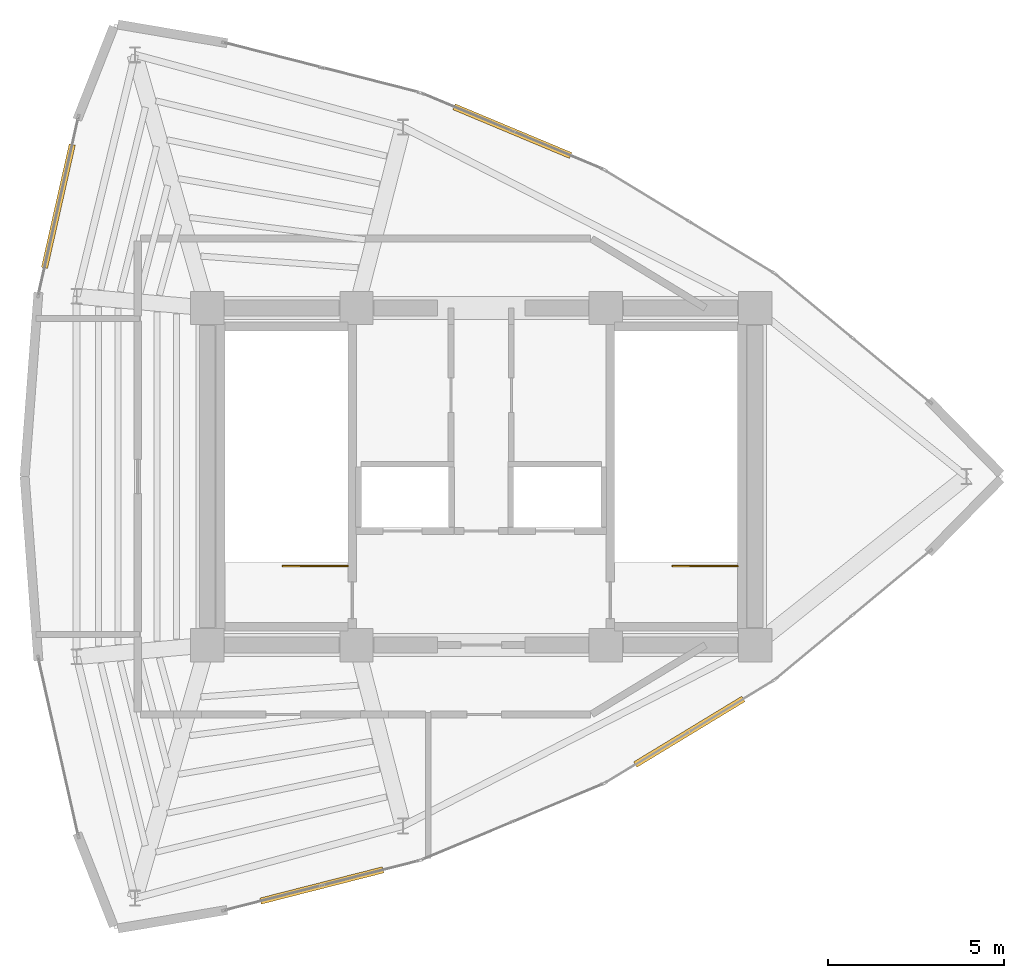
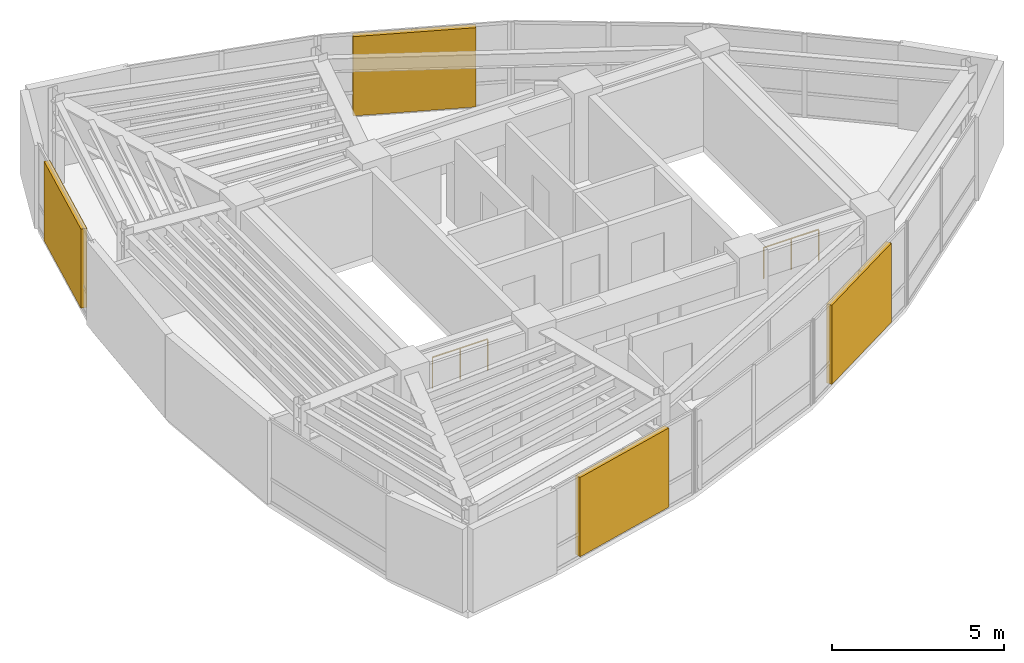
# One storey, part 13 of 13: 4 shading devices, 2 railings.
"""IFC4 building model written with IfcOpenShell, lengths in metres."""

from ifc_helpers import new_model, si_unit, direction, frame, origin, origin_2d, place, context, subcontext, project, spatial, rectangle, circle, extrude, material, layer, layer_set, type_object, element, save


model = new_model("IFC4")

# Units and contexts
model_context = context("Model", 3, precision=1e-05, world=origin(), true_north=direction((0.0, 1.0)))
body_context = subcontext(model_context, "Body", "Model", "MODEL_VIEW")
ifc_project = project(units=[si_unit("LENGTHUNIT", "METRE"), si_unit("AREAUNIT", "SQUARE_METRE"), si_unit("VOLUMEUNIT", "CUBIC_METRE"), si_unit("PLANEANGLEUNIT", "RADIAN"), si_unit("MASSUNIT", "GRAM", prefix="KILO")], contexts=[model_context])

# Site, building, storey
site_placement = place(None, origin())
site = spatial("IfcSite", under=ifc_project, at=site_placement, CompositionType="ELEMENT")
building_placement = place(site_placement, origin())
building = spatial("IfcBuilding", under=site, at=building_placement, Name="Menara Vayukalpa", CompositionType="ELEMENT")
storey_placement = place(building_placement, frame((0.0, 0.0, 315.219970703125)))
storey = spatial("IfcBuildingStorey", under=building, at=storey_placement, Name="L81", CompositionType="ELEMENT", Elevation=315.219970703125)

# Railings
ifc_material_1 = material(Name="Powder-Coated Galvanised Steel Guardrail", Category="steel")
railing_type = type_object("IfcRailingType", Name="RLG-STG110", PredefinedType="GUARDRAIL", material=ifc_material_1)
railing_1_placement = place(storey_placement, frame((21.800048828125, 19.449951171875, 0.0)))
element("IfcRailing", 1, at=railing_1_placement, inside=storey, type_object=railing_type, Name="L81 ST-1 top well guard 1", PredefinedType="GUARDRAIL", context=body_context, shape_type="SweptSolid", body=[
    extrude(circle(Radius=0.02392578125, at=origin_2d()), frame((0.0, 0.0, 1.09619140625), z_axis=(-1.0, 0.0, 0.0), x_axis=(0.0, -1.0, 0.0)), (0.0, 0.0, 1.0), 1.85009765625),
    extrude(circle(Radius=0.02099609375, at=origin_2d()), origin(), (0.0, 0.0, 1.0), 1.072021484375),
    extrude(circle(Radius=0.02099609375, at=origin_2d()), frame((-0.925048828125, 0.0, 0.0)), (0.0, 0.0, 1.0), 1.072021484375),
    extrude(circle(Radius=0.02099609375, at=origin_2d()), frame((-1.85009765625, 0.0, 0.0)), (0.0, 0.0, 1.0), 1.072021484375),
])
railing_2_placement = place(storey_placement, frame((32.89990234375, 19.449951171875, 0.0)))
element("IfcRailing", 2, at=railing_2_placement, inside=storey, type_object=railing_type, Name="L81 ST-2 top well guard 1", PredefinedType="GUARDRAIL", context=body_context, shape_type="SweptSolid", body=[
    extrude(circle(Radius=0.02392578125, at=origin_2d()), frame((0.0, 0.0, 1.09619140625), z_axis=(-1.0, 0.0, 0.0), x_axis=(0.0, -1.0, 0.0)), (0.0, 0.0, 1.0), 1.849853515625),
    extrude(circle(Radius=0.02099609375, at=origin_2d()), origin(), (0.0, 0.0, 1.0), 1.072021484375),
    extrude(circle(Radius=0.02099609375, at=origin_2d()), frame((-0.9248046875, 0.0, 0.0)), (0.0, 0.0, 1.0), 1.072021484375),
    extrude(circle(Radius=0.02099609375, at=origin_2d()), frame((-1.849853515625, 0.0, 0.0)), (0.0, 0.0, 1.0), 1.072021484375),
])

# Shading devices
ifc_material_2 = material(Name="Anodised Terracotta Aluminium Acoustic Louvre", Category="masonry")
ifc_layer = layer(ifc_material_2, 0.280029296875)
ifc_layer_set = layer_set([ifc_layer], Name="Anodised Terracotta Aluminium Acoustic Louvre")
shading_device_type = type_object("IfcShadingDeviceType", Name="SHD-LV1", PredefinedType="JALOUSIE", material=ifc_layer_set)
for number, where, z_axis, x_axis, name in (
    (3, (26.48583984375, 31.835205078125, 0.074951171875), (0.0, 0.0, 1.0), (-0.922538089456, 0.385906042324, 0.0), "L81 Crown Plant Louvre Screen 05"),
    (4, (13.558837890625, 29.69921875, 0.074951171875), (0.0, 0.0, 1.0), (-0.219522692765, -0.975607394068, 0.0), "L81 Crown Plant Louvre Screen 09"),
    (5, (21.0615234375, 10.354248046875, 0.074951171875), (0.0, 0.0, 1.0), (0.968985547553, 0.247117398484, 0.0), "L81 Crown Plant Louvre Screen 15"),
    (6, (31.525146484375, 14.73095703125, 0.074951171875), (0.0, 0.0, 1.0), (0.85466730962, 0.519176068272, 0.0), "L81 Crown Plant Louvre Screen 17"),
):
    element("IfcShadingDevice", number, at=place(storey_placement, frame(where, z_axis=z_axis, x_axis=x_axis)), inside=storey, type_object=shading_device_type, Name=name, PredefinedType="JALOUSIE", context=body_context, shape_type="SweptSolid", body=[
        extrude(rectangle(XDim=3.60009765625, YDim=0.179931640625, at=origin_2d()), origin(), (0.0, 0.0, 1.0), 2.81005859375),
    ])

save(model, "model.ifc")
